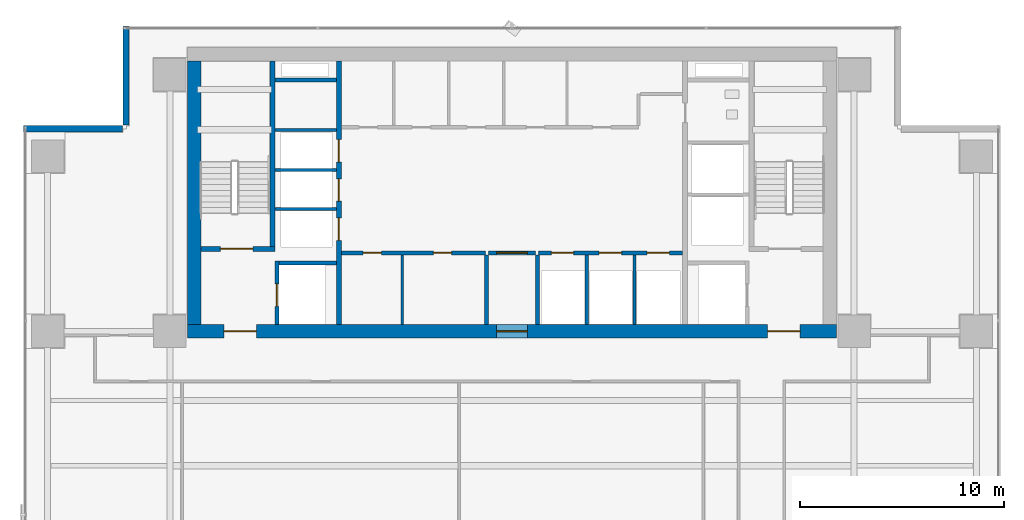
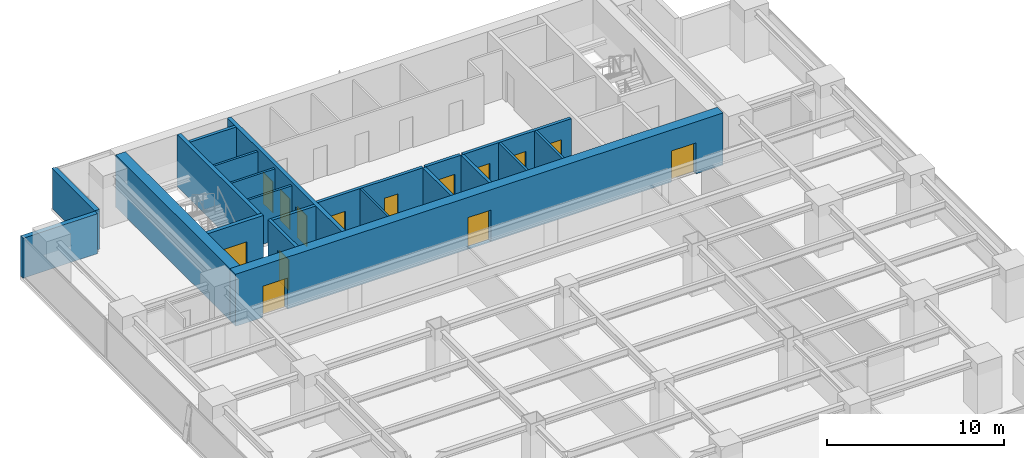
# One storey, part 21 of 27: 21 walls, 14 doors, 14 openings.
"""IFC4 building model written with IfcOpenShell, lengths in metres."""

import ifcopenshell
import ifcopenshell.guid

model = None  # the IFC model being written
_history = None  # IfcOwnerHistory: only IFC2X3 demands one
_inside = {}  # id of a spatial element -> (the spatial element, [elements in it])
_under = {}  # id of a project, library or spatial element -> (it, [spatial elements below it])
_declared = {}  # id of a project -> (the project, [libraries it declares])
_typed = {}  # id of a type object -> (the type object, [elements of that type])
_made_of = {}  # id of a material, layer set ... -> (it, [elements and type objects made of it])


def new_model(schema):
    """Start an empty IFC model of exactly this schema.

    Asked for "IFC4X3", IfcOpenShell would pick the latest addendum, in which some entities
    have other attributes; the version numbers below select the first issue.
    IFC2X3 requires an IfcOwnerHistory on every rooted entity: one is made here for all.
    """
    global model, _history
    if schema == "IFC4X3":
        model = ifcopenshell.file(schema_version=(4, 3, 0, 0))
    else:
        model = ifcopenshell.file(schema=schema)
    _inside.clear()
    _under.clear()
    _declared.clear()
    _typed.clear()
    _made_of.clear()
    _history = None
    if model.schema == "IFC2X3":
        org = make("IfcOrganization", Name="unknown")
        user = make(
            "IfcPersonAndOrganization",
            ThePerson=make("IfcPerson", FamilyName="unknown"),
            TheOrganization=org,
        )
        app = make(
            "IfcApplication",
            ApplicationDeveloper=org,
            Version="unknown",
            ApplicationFullName="unknown",
            ApplicationIdentifier="unknown",
        )
        _history = make(
            "IfcOwnerHistory",
            OwningUser=user,
            OwningApplication=app,
            ChangeAction="ADDED",
            CreationDate=0,
        )
    return model


def make(cls, **values):
    """One entity of the class cls with the attributes given. An attribute that is None is left unset."""
    return model.create_entity(
        cls, **{name: value for name, value in values.items() if value is not None}
    )


def rooted(cls, **values):
    """An entity with a GlobalId (a new one), such as an element, a storey or a relation."""
    return make(cls, GlobalId=ifcopenshell.guid.new(), OwnerHistory=_history, **values)


def si_unit(unit_type, name, prefix=None):
    """IfcSIUnit, for example si_unit("LENGTHUNIT", "METRE", prefix="MILLI")."""
    return make("IfcSIUnit", UnitType=unit_type, Prefix=prefix, Name=name)


def assignment(units):
    """IfcUnitAssignment: the units of a project."""
    return None if units is None else make("IfcUnitAssignment", Units=units)


def point(xyz):
    """IfcCartesianPoint."""
    return None if xyz is None else make("IfcCartesianPoint", Coordinates=xyz)


def direction(xyz):
    """IfcDirection."""
    return None if xyz is None else make("IfcDirection", DirectionRatios=xyz)


def frame(location, z_axis=None, x_axis=None):
    """IfcAxis2Placement3D, a coordinate frame: its origin and axes. An axis left out is left unset."""
    return make(
        "IfcAxis2Placement3D",
        Location=point(location),
        Axis=direction(z_axis),
        RefDirection=direction(x_axis),
    )


def frame_2d(location, x_axis=None):
    """IfcAxis2Placement2D, a coordinate frame in the plane: its origin and x axis."""
    return make(
        "IfcAxis2Placement2D", Location=point(location), RefDirection=direction(x_axis)
    )


def origin():
    """The frame at (0, 0, 0) with its axes left unset."""
    return frame((0.0, 0.0, 0.0))


def place(relative_to, where):
    """IfcLocalPlacement: puts the frame where relative to a parent placement (None: the world)."""
    return make(
        "IfcLocalPlacement", PlacementRelTo=relative_to, RelativePlacement=where
    )


def context(
    kind, dimensions, precision=None, world=None, true_north=None, identifier=None
):
    """IfcGeometricRepresentationContext, for example the 3D "Model" context."""
    return make(
        "IfcGeometricRepresentationContext",
        ContextIdentifier=identifier,
        ContextType=kind,
        CoordinateSpaceDimension=dimensions,
        Precision=precision,
        WorldCoordinateSystem=world,
        TrueNorth=true_north,
    )


def subcontext(parent, identifier, kind, view, scale=None):
    """IfcGeometricRepresentationSubContext, for example "Body" below "Model"."""
    return make(
        "IfcGeometricRepresentationSubContext",
        ContextIdentifier=identifier,
        ContextType=kind,
        ParentContext=parent,
        TargetScale=scale,
        TargetView=view,
    )


def project(units=None, contexts=None):
    """IfcProject with its units and contexts."""
    return rooted(
        "IfcProject",
        Name="project",
        RepresentationContexts=contexts,
        UnitsInContext=assignment(units),
    )


def spatial(cls, under=None, at=None, **own):
    """A site, building, storey or space (cls), placed at a placement, below another one or the project."""
    s = rooted(cls, ObjectPlacement=at, **own)
    if under is not None:
        _under.setdefault(under.id(), (under, []))[1].append(s)
    return s


def profile(cls, at=None, kind="AREA", **sizes):
    """A parametric profile (cls). Its sizes go by their IFC names, for example OverallWidth=200.0."""
    return make(cls, ProfileType=kind, Position=at, **sizes)


def rectangle(**sizes):
    """IfcRectangleProfileDef."""
    return profile("IfcRectangleProfileDef", **sizes)


def extrude(swept, where, along, depth):
    """IfcExtrudedAreaSolid: the profile swept, set in the frame where, extruded along a direction by depth."""
    return make(
        "IfcExtrudedAreaSolid",
        SweptArea=swept,
        Position=where,
        ExtrudedDirection=direction(along),
        Depth=depth,
    )


def shape(context_of_items, identifier, shape_type, items):
    """IfcShapeRepresentation: the items that make up one representation, for example the "Body"."""
    return make(
        "IfcShapeRepresentation",
        ContextOfItems=context_of_items,
        RepresentationIdentifier=identifier,
        RepresentationType=shape_type,
        Items=items,
    )


def source(mapping_origin, context_of_items, identifier, shape_type, items):
    """IfcRepresentationMap: a shape defined once, which mapped items show again and again."""
    return make(
        "IfcRepresentationMap",
        MappingOrigin=mapping_origin,
        MappedRepresentation=shape(context_of_items, identifier, shape_type, items),
    )


def transform(
    local_origin,
    x_axis=None,
    y_axis=None,
    z_axis=None,
    scale=None,
    scale2=None,
    scale3=None,
    uniform=True,
):
    """IfcCartesianTransformationOperator3D, or its non-uniform kind. x_axis, y_axis, z_axis: its Axis1, 2, 3."""
    if uniform:
        return make(
            "IfcCartesianTransformationOperator3D",
            Axis1=direction(x_axis),
            Axis2=direction(y_axis),
            LocalOrigin=point(local_origin),
            Scale=scale,
            Axis3=direction(z_axis),
        )
    return make(
        "IfcCartesianTransformationOperator3DnonUniform",
        Axis1=direction(x_axis),
        Axis2=direction(y_axis),
        LocalOrigin=point(local_origin),
        Scale=scale,
        Axis3=direction(z_axis),
        Scale2=scale2,
        Scale3=scale3,
    )


def mapped(mapping_source, mapping_target):
    """IfcMappedItem: shows the shape of a source again, moved by a transform."""
    return make(
        "IfcMappedItem", MappingSource=mapping_source, MappingTarget=mapping_target
    )


def material(Name=None, Category=None):
    """IfcMaterial."""
    return make("IfcMaterial", Name=Name, Category=Category)


def layer(
    of_material, thickness, ventilated=None, Name=None, Category=None, Priority=None
):
    """IfcMaterialLayer: one layer of a wall or slab, of a material (None: an air gap)."""
    return make(
        "IfcMaterialLayer",
        Material=of_material,
        LayerThickness=thickness,
        IsVentilated=ventilated,
        Name=Name,
        Category=Category,
        Priority=Priority,
    )


def layer_set(layers, Name=None):
    """IfcMaterialLayerSet."""
    return make("IfcMaterialLayerSet", MaterialLayers=layers, LayerSetName=Name)


def made_of(thing, what):
    """Note that an element or type object is made of a material, layer set ...; save() writes the relation."""
    if what is not None:
        _made_of.setdefault(what.id(), (what, []))[1].append(thing)
    return thing


def type_object(cls, material=None, **own):
    """A type object (cls), such as IfcWallType, which elements share."""
    return made_of(rooted(cls, **own), material)


def element(
    cls,
    number,
    at=None,
    inside=None,
    cuts=None,
    type_object=None,
    material=None,
    context=None,
    identifier="Body",
    shape_type=None,
    held_by="IfcProductDefinitionShape",
    body=None,
    shapes=None,
    **own,
):
    """One element of the class cls, such as IfcWall. Its Tag is "e" and its number.

    at: its placement. inside: the storey or other place that contains it. cuts: it is an
    opening in that element (IfcRelVoidsElement). A single representation is given by context,
    identifier, shape_type and body (its items); several are given by shapes. held_by: the class
    of the entity that holds the representations. save() writes the other relations.
    """
    e = rooted(cls, Tag="e%d" % number, ObjectPlacement=at, **own)
    if body is not None:
        shapes = [shape(context, identifier, shape_type, body)]
    if shapes is not None:
        e.Representation = make(held_by, Representations=shapes)
    if inside is not None:
        _inside.setdefault(inside.id(), (inside, []))[1].append(e)
    if cuts is not None:
        rooted(
            "IfcRelVoidsElement", RelatingBuildingElement=cuts, RelatedOpeningElement=e
        )
    if type_object is not None:
        _typed.setdefault(type_object.id(), (type_object, []))[1].append(e)
    return made_of(e, material)


def fill(opening, filler):
    """IfcRelFillsElement: the door or window that sits in an opening."""
    return rooted(
        "IfcRelFillsElement",
        RelatingOpeningElement=opening,
        RelatedBuildingElement=filler,
    )


def aggregate(whole, parts):
    """IfcRelAggregates: a whole, such as a stair, and the parts it consists of."""
    return rooted("IfcRelAggregates", RelatingObject=whole, RelatedObjects=parts)


def save(model, path):
    """Write the relations noted so far, then the file.

    IfcRelAggregates (storeys below a building ...), IfcRelContainedInSpatialStructure (elements
    in a storey), IfcRelDefinesByType, IfcRelAssociatesMaterial and IfcRelDeclares: one each for
    every whole, place, type object, material and project.
    """
    for whole, parts in _under.values():
        aggregate(whole, parts)
    for where, things in _inside.values():
        rooted(
            "IfcRelContainedInSpatialStructure",
            RelatedElements=things,
            RelatingStructure=where,
        )
    for kind, things in _typed.values():
        rooted("IfcRelDefinesByType", RelatedObjects=things, RelatingType=kind)
    for what, things in _made_of.values():
        rooted("IfcRelAssociatesMaterial", RelatedObjects=things, RelatingMaterial=what)
    for by, libraries in _declared.values():
        rooted("IfcRelDeclares", RelatingContext=by, RelatedDefinitions=libraries)
    model.write(path)


model = new_model("IFC4")

# Units and contexts
model_context = context("Model", 3, precision=1e-05, world=origin(), true_north=direction((0.0, 1.0)))
body_context = subcontext(model_context, "Body", "Model", "MODEL_VIEW")
ifc_project = project(units=[si_unit("LENGTHUNIT", "METRE"), si_unit("AREAUNIT", "SQUARE_METRE"), si_unit("VOLUMEUNIT", "CUBIC_METRE"), si_unit("PLANEANGLEUNIT", "RADIAN"), si_unit("MASSUNIT", "GRAM", prefix="KILO")], contexts=[model_context])

# Site, building, storey
site_placement = place(None, origin())
site = spatial("IfcSite", under=ifc_project, at=site_placement, CompositionType="ELEMENT")
building_placement = place(site_placement, origin())
building = spatial("IfcBuilding", under=site, at=building_placement, Name="Sumidabori Civic Tower", CompositionType="ELEMENT")
storey_placement = place(building_placement, frame((0.0, 0.0, 135.199951171875)))
storey = spatial("IfcBuildingStorey", under=building, at=storey_placement, Name="L34", CompositionType="ELEMENT", Elevation=135.199951171875)

# Walls
ifc_material_1 = material(Name="Concrete C50/60", Category="concrete")
ifc_layer_1 = layer(ifc_material_1, 0.199951171875, Name="Concrete C50/60")
ifc_layer_set_1 = layer_set([ifc_layer_1], Name="Concrete C50/60")
wall_type_1 = type_object("IfcWallType", Name="WL-SHAFT-200", PredefinedType="SHEAR", material=ifc_layer_set_1)
shared_shape_1 = source(origin(), body_context, "Body", "SweptSolid", [
    extrude(rectangle(XDim=2.824951171875, YDim=0.199951171875, at=frame_2d((1.41259765625, 0.0))), origin(), (0.0, 0.0, 1.0), 3.60009765625),
])
wall_1_placement = place(storey_placement, frame((-11.449951171875, 13.550048828125, 0.0), z_axis=(0.0, 0.0, 1.0), x_axis=(1.0, 0.0, 0.0)))
element("IfcWall", 1, at=wall_1_placement, inside=storey, type_object=wall_type_1, Name="Core Shear Wall L34 EL1-N", PredefinedType="SHEAR", context=body_context, shape_type="MappedRepresentation", body=[
    mapped(shared_shape_1, transform((0.0, 0.0, 0.0), x_axis=(1.0, 0.0, 0.0), y_axis=(0.0, 1.0, 0.0), z_axis=(0.0, 0.0, 1.0), scale=1.0)),
])
shared_shape_2 = source(origin(), body_context, "Body", "SweptSolid", [
    extrude(rectangle(XDim=3.02001953125, YDim=0.199951171875, at=frame_2d((1.510009765625, 0.0))), origin(), (0.0, 0.0, 1.0), 3.60009765625),
])
wall_2_placement = place(storey_placement, frame((-11.64501953125, 22.550048828125, 0.0), z_axis=(0.0, 0.0, 1.0), x_axis=(1.0, 0.0, 0.0)))
element("IfcWall", 2, at=wall_2_placement, inside=storey, type_object=wall_type_1, Name="Core Shear Wall L34 RIS1-S", PredefinedType="SHEAR", context=body_context, shape_type="MappedRepresentation", body=[
    mapped(shared_shape_2, transform((0.0, 0.0, 0.0), x_axis=(1.0, 0.0, 0.0), y_axis=(0.0, 1.0, 0.0), z_axis=(0.0, 0.0, 1.0), scale=1.0)),
])

# Wall, openings, doors
ifc_material_2 = material(Name="Concrete C60/75", Category="concrete")
ifc_layer_2 = layer(ifc_material_2, 0.64990234375, Name="Concrete C60/75")
ifc_layer_set_2 = layer_set([ifc_layer_2], Name="Concrete C60/75")
wall_type_2 = type_object("IfcWallType", Name="WL-CORE-650", PredefinedType="SHEAR", material=ifc_layer_set_2)
shared_shape_3 = source(origin(), body_context, "Body", "SweptSolid", [
    extrude(rectangle(XDim=31.85009765625, YDim=0.64990234375, at=frame_2d((15.925048828125, 0.0))), origin(), (0.0, 0.0, 1.0), 3.60009765625),
])
wall_3_placement = place(storey_placement, frame((-15.925048828125, 10.199951171875, 0.0), z_axis=(0.0, 0.0, 1.0), x_axis=(1.0, 0.0, 0.0)))
wall_3 = element("IfcWall", 3, at=wall_3_placement, inside=storey, type_object=wall_type_2, Name="Core Shear Wall L34 S", PredefinedType="SHEAR", context=body_context, shape_type="MappedRepresentation", body=[
    mapped(shared_shape_3, transform((0.0, 0.0, 0.0), x_axis=(1.0, 0.0, 0.0), y_axis=(0.0, 1.0, 0.0), z_axis=(0.0, 0.0, 1.0), scale=1.0)),
])
opening_1_placement = place(wall_3_placement, frame((1.77490234375, 0.0, 0.0)))
opening_1 = element("IfcOpeningElement", 4, at=opening_1_placement, cuts=wall_3, Name="Opening DR-FD4", PredefinedType="OPENING", context=body_context, shape_type="SweptSolid", body=[
    extrude(rectangle(XDim=1.60009765625, YDim=2.14990234375, at=frame_2d((0.800048828125, 1.074951171875))), frame((0.0, 0.3369140625, 0.0), z_axis=(0.0, -1.0, 0.0), x_axis=(1.0, 0.0, 0.0)), (0.0, 0.0, 1.0), 0.673828125),
])
opening_2_placement = place(wall_3_placement, frame((28.47509765625, 0.0, 0.0)))
opening_2 = element("IfcOpeningElement", 5, at=opening_2_placement, cuts=wall_3, Name="Opening DR-FD4", PredefinedType="OPENING", context=body_context, shape_type="SweptSolid", body=[
    extrude(rectangle(XDim=1.60009765625, YDim=2.14990234375, at=frame_2d((0.800048828125, 1.074951171875))), frame((0.0, 0.3369140625, 0.0), z_axis=(0.0, -1.0, 0.0), x_axis=(1.0, 0.0, 0.0)), (0.0, 0.0, 1.0), 0.673828125),
])
opening_3_placement = place(wall_3_placement, frame((15.175048828125, 0.0, 0.0)))
opening_3 = element("IfcOpeningElement", 6, at=opening_3_placement, cuts=wall_3, Name="Opening DR-FD3", PredefinedType="OPENING", context=body_context, shape_type="SweptSolid", body=[
    extrude(rectangle(XDim=1.5, YDim=2.199951171875, at=frame_2d((0.75, 1.10009765625))), frame((0.0, 0.3369140625, 0.0), z_axis=(0.0, -1.0, 0.0), x_axis=(1.0, 0.0, 0.0)), (0.0, 0.0, 1.0), 0.673828125),
])
ifc_material_3 = material(Name="Steel SN490", Category="steel")
door_type_1 = type_object("IfcDoorType", Name="DR-FD4", OperationType="DOUBLE_DOOR_SINGLE_SWING", PredefinedType="DOOR", material=ifc_material_3)
shared_shape_4 = source(origin(), body_context, "Body", "SweptSolid", [
    extrude(rectangle(XDim=1.60009765625, YDim=2.14990234375, at=frame_2d((0.800048828125, 1.074951171875))), frame((0.0, 0.02490234375, 0.0), z_axis=(0.0, -1.0, 0.0), x_axis=(1.0, 0.0, 0.0)), (0.0, 0.0, 1.0), 0.050048828125),
])
door_1_placement = place(opening_1_placement, origin())
door_1 = element("IfcDoor", 7, at=door_1_placement, inside=storey, type_object=door_type_1, Name="Door DR:L34:ELOB-W", OperationType="DOUBLE_DOOR_SINGLE_SWING", OverallHeight=2.14990234375, OverallWidth=1.60009765625, PredefinedType="DOOR", context=body_context, shape_type="MappedRepresentation", body=[
    mapped(shared_shape_4, transform((0.0, 0.0, 0.0), x_axis=(1.0, 0.0, 0.0), y_axis=(0.0, 1.0, 0.0), z_axis=(0.0, 0.0, 1.0), scale=1.0)),
])
fill(opening_1, door_1)
door_2_placement = place(opening_2_placement, origin())
door_2 = element("IfcDoor", 8, at=door_2_placement, inside=storey, type_object=door_type_1, Name="Door DR:L34:ELOB-E", OperationType="DOUBLE_DOOR_SINGLE_SWING", OverallHeight=2.14990234375, OverallWidth=1.60009765625, PredefinedType="DOOR", context=body_context, shape_type="MappedRepresentation", body=[
    mapped(shared_shape_4, transform((0.0, 0.0, 0.0), x_axis=(1.0, 0.0, 0.0), y_axis=(0.0, 1.0, 0.0), z_axis=(0.0, 0.0, 1.0), scale=1.0)),
])
fill(opening_2, door_2)
door_type_2 = type_object("IfcDoorType", Name="DR-FD-DBL", OperationType="DOUBLE_DOOR_SINGLE_SWING", PredefinedType="DOOR", material=ifc_material_3)
shared_shape_5 = source(origin(), body_context, "Body", "SweptSolid", [
    extrude(rectangle(XDim=1.5, YDim=2.199951171875, at=frame_2d((0.75, 1.10009765625))), frame((0.0, 0.02490234375, 0.0), z_axis=(0.0, -1.0, 0.0), x_axis=(1.0, 0.0, 0.0)), (0.0, 0.0, 1.0), 0.050048828125),
])
door_3_placement = place(opening_3_placement, origin())
door_3 = element("IfcDoor", 9, at=door_3_placement, inside=storey, type_object=door_type_2, Name="Door DR:L34:THROAT-OUT", OperationType="DOUBLE_DOOR_SINGLE_SWING", OverallHeight=2.199951171875, OverallWidth=1.5, PredefinedType="DOOR", context=body_context, shape_type="MappedRepresentation", body=[
    mapped(shared_shape_5, transform((0.0, 0.0, 0.0), x_axis=(1.0, 0.0, 0.0), y_axis=(0.0, 1.0, 0.0), z_axis=(0.0, 0.0, 1.0), scale=1.0)),
])
fill(opening_3, door_3)

# Wall
shared_shape_6 = source(origin(), body_context, "Body", "SweptSolid", [
    extrude(rectangle(XDim=12.9501953125, YDim=0.64990234375, at=frame_2d((6.47509765625, 0.0))), origin(), (0.0, 0.0, 1.0), 3.60009765625),
])
wall_4_placement = place(storey_placement, frame((-15.60009765625, 10.52490234375, 0.0), z_axis=(0.0, 0.0, 1.0), x_axis=(0.0, 1.0, 0.0)))
element("IfcWall", 10, at=wall_4_placement, inside=storey, type_object=wall_type_2, Name="Core Shear Wall L34 W", PredefinedType="SHEAR", context=body_context, shape_type="MappedRepresentation", body=[
    mapped(shared_shape_6, transform((0.0, 0.0, 0.0), x_axis=(1.0, 0.0, 0.0), y_axis=(0.0, 1.0, 0.0), z_axis=(0.0, 0.0, 1.0), scale=1.0)),
])

# Wall, openings, doors
ifc_layer_3 = layer(ifc_material_1, 0.25, Name="Concrete C50/60")
ifc_layer_set_3 = layer_set([ifc_layer_3], Name="Concrete C50/60")
wall_type_3 = type_object("IfcWallType", Name="WL-SHAFT-250", PredefinedType="SHEAR", material=ifc_layer_set_3)
shared_shape_7 = source(origin(), body_context, "Body", "SweptSolid", [
    extrude(rectangle(XDim=12.9501953125, YDim=0.25, at=frame_2d((6.47509765625, 0.0))), origin(), (0.0, 0.0, 1.0), 3.60009765625),
])
wall_5_placement = place(storey_placement, frame((-8.5, 10.52490234375, 0.0), z_axis=(0.0, 0.0, 1.0), x_axis=(0.0, 1.0, 0.0)))
wall_5 = element("IfcWall", 11, at=wall_5_placement, inside=storey, type_object=wall_type_3, Name="Core Shear Wall L34 WEB-W", PredefinedType="SHEAR", context=body_context, shape_type="MappedRepresentation", body=[
    mapped(shared_shape_7, transform((0.0, 0.0, 0.0), x_axis=(1.0, 0.0, 0.0), y_axis=(0.0, 1.0, 0.0), z_axis=(0.0, 0.0, 1.0), scale=1.0)),
])
opening_4_placement = place(wall_5_placement, frame((4.14501953125, 0.0, 0.0)))
opening_4 = element("IfcOpeningElement", 12, at=opening_4_placement, cuts=wall_5, Name="Opening LD-1", PredefinedType="OPENING", context=body_context, shape_type="SweptSolid", body=[
    extrude(rectangle(XDim=1.10009765625, YDim=2.14990234375, at=frame_2d((0.550048828125, 1.074951171875))), frame((0.0, 0.136962890625, 0.0), z_axis=(0.0, -1.0, 0.0), x_axis=(1.0, 0.0, 0.0)), (0.0, 0.0, 1.0), 0.27392578125),
])
opening_5_placement = place(wall_5_placement, frame((6.06494140625, 0.0, 0.0)))
opening_5 = element("IfcOpeningElement", 13, at=opening_5_placement, cuts=wall_5, Name="Opening LD-1", PredefinedType="OPENING", context=body_context, shape_type="SweptSolid", body=[
    extrude(rectangle(XDim=1.10009765625, YDim=2.14990234375, at=frame_2d((0.550048828125, 1.074951171875))), frame((0.0, 0.136962890625, 0.0), z_axis=(0.0, -1.0, 0.0), x_axis=(1.0, 0.0, 0.0)), (0.0, 0.0, 1.0), 0.27392578125),
])
opening_6_placement = place(wall_5_placement, frame((7.985107421875, 0.0, 0.0)))
opening_6 = element("IfcOpeningElement", 14, at=opening_6_placement, cuts=wall_5, Name="Opening LD-1", PredefinedType="OPENING", context=body_context, shape_type="SweptSolid", body=[
    extrude(rectangle(XDim=1.10009765625, YDim=2.14990234375, at=frame_2d((0.550048828125, 1.074951171875))), frame((0.0, 0.136962890625, 0.0), z_axis=(0.0, -1.0, 0.0), x_axis=(1.0, 0.0, 0.0)), (0.0, 0.0, 1.0), 0.27392578125),
])
ifc_material_4 = material(Name="Stainless Steel Hairline Finish", Category="steel")
door_type_3 = type_object("IfcDoorType", Name="DR-LD1", OperationType="DOUBLE_DOOR_SLIDING", PredefinedType="DOOR", material=ifc_material_4)
shared_shape_8 = source(origin(), body_context, "Body", "SweptSolid", [
    extrude(rectangle(XDim=1.10009765625, YDim=2.14990234375, at=frame_2d((0.550048828125, 1.074951171875))), frame((0.0, 0.02490234375, 0.0), z_axis=(0.0, -1.0, 0.0), x_axis=(1.0, 0.0, 0.0)), (0.0, 0.0, 1.0), 0.050048828125),
])
door_4_placement = place(opening_4_placement, origin())
door_4 = element("IfcDoor", 15, at=door_4_placement, inside=storey, type_object=door_type_3, Name="Door DR:L34:LD-PLH1", OperationType="DOUBLE_DOOR_SLIDING", OverallHeight=2.14990234375, OverallWidth=1.10009765625, PredefinedType="DOOR", context=body_context, shape_type="MappedRepresentation", body=[
    mapped(shared_shape_8, transform((0.0, 0.0, 0.0), x_axis=(1.0, 0.0, 0.0), y_axis=(0.0, 1.0, 0.0), z_axis=(0.0, 0.0, 1.0), scale=1.0)),
])
fill(opening_4, door_4)
door_5_placement = place(opening_5_placement, origin())
door_5 = element("IfcDoor", 16, at=door_5_placement, inside=storey, type_object=door_type_3, Name="Door DR:L34:LD-PLH2", OperationType="DOUBLE_DOOR_SLIDING", OverallHeight=2.14990234375, OverallWidth=1.10009765625, PredefinedType="DOOR", context=body_context, shape_type="MappedRepresentation", body=[
    mapped(shared_shape_8, transform((0.0, 0.0, 0.0), x_axis=(1.0, 0.0, 0.0), y_axis=(0.0, 1.0, 0.0), z_axis=(0.0, 0.0, 1.0), scale=1.0)),
])
fill(opening_5, door_5)
door_6_placement = place(opening_6_placement, origin())
door_6 = element("IfcDoor", 17, at=door_6_placement, inside=storey, type_object=door_type_3, Name="Door DR:L34:LD-PLH3", OperationType="DOUBLE_DOOR_SLIDING", OverallHeight=2.14990234375, OverallWidth=1.10009765625, PredefinedType="DOOR", context=body_context, shape_type="MappedRepresentation", body=[
    mapped(shared_shape_8, transform((0.0, 0.0, 0.0), x_axis=(1.0, 0.0, 0.0), y_axis=(0.0, 1.0, 0.0), z_axis=(0.0, 0.0, 1.0), scale=1.0)),
])
fill(opening_6, door_6)

# Wall, opening, door
shared_shape_9 = source(origin(), body_context, "Body", "SweptSolid", [
    extrude(rectangle(XDim=3.6298828125, YDim=0.25, at=frame_2d((1.81494140625, 0.0))), origin(), (0.0, 0.0, 1.0), 3.60009765625),
])
wall_6_placement = place(storey_placement, frame((-15.27490234375, 14.25, 0.0), z_axis=(0.0, 0.0, 1.0), x_axis=(1.0, 0.0, 0.0)))
wall_6 = element("IfcWall", 18, at=wall_6_placement, inside=storey, type_object=wall_type_3, Name="Core Shear Wall L34 ST1-S", PredefinedType="SHEAR", context=body_context, shape_type="MappedRepresentation", body=[
    mapped(shared_shape_9, transform((0.0, 0.0, 0.0), x_axis=(1.0, 0.0, 0.0), y_axis=(0.0, 1.0, 0.0), z_axis=(0.0, 0.0, 1.0), scale=1.0)),
])
opening_7_placement = place(wall_6_placement, frame((0.949951171875, 0.0, 0.0)))
opening_7 = element("IfcOpeningElement", 19, at=opening_7_placement, cuts=wall_6, Name="Opening DR-FD4", PredefinedType="OPENING", context=body_context, shape_type="SweptSolid", body=[
    extrude(rectangle(XDim=1.60009765625, YDim=2.14990234375, at=frame_2d((0.800048828125, 1.074951171875))), frame((0.0, 0.136962890625, 0.0), z_axis=(0.0, -1.0, 0.0), x_axis=(1.0, 0.0, 0.0)), (0.0, 0.0, 1.0), 0.27392578125),
])
door_7_placement = place(opening_7_placement, origin())
door_7 = element("IfcDoor", 20, at=door_7_placement, inside=storey, type_object=door_type_1, Name="Door DR:L34:ST1", OperationType="DOUBLE_DOOR_SINGLE_SWING", OverallHeight=2.14990234375, OverallWidth=1.60009765625, PredefinedType="DOOR", context=body_context, shape_type="MappedRepresentation", body=[
    mapped(shared_shape_4, transform((0.0, 0.0, 0.0), x_axis=(1.0, 0.0, 0.0), y_axis=(0.0, 1.0, 0.0), z_axis=(0.0, 0.0, 1.0), scale=1.0)),
])
fill(opening_7, door_7)

# Wall
shared_shape_10 = source(origin(), body_context, "Body", "SweptSolid", [
    extrude(rectangle(XDim=9.10009765625, YDim=0.25, at=frame_2d((4.550048828125, 0.0))), origin(), (0.0, 0.0, 1.0), 3.60009765625),
])
wall_7_placement = place(storey_placement, frame((-11.77001953125, 14.375, 0.0), z_axis=(0.0, 0.0, 1.0), x_axis=(0.0, 1.0, 0.0)))
element("IfcWall", 21, at=wall_7_placement, inside=storey, type_object=wall_type_3, Name="Core Shear Wall L34 ST1-E", PredefinedType="SHEAR", context=body_context, shape_type="MappedRepresentation", body=[
    mapped(shared_shape_10, transform((0.0, 0.0, 0.0), x_axis=(1.0, 0.0, 0.0), y_axis=(0.0, 1.0, 0.0), z_axis=(0.0, 0.0, 1.0), scale=1.0)),
])

# Wall, opening, door
shared_shape_11 = source(origin(), body_context, "Body", "SweptSolid", [
    extrude(rectangle(XDim=3.125, YDim=0.199951171875, at=frame_2d((1.5625, 0.0))), origin(), (0.0, 0.0, 1.0), 3.60009765625),
])
wall_8_placement = place(storey_placement, frame((-11.550048828125, 10.52490234375, 0.0), z_axis=(0.0, 0.0, 1.0), x_axis=(0.0, 1.0, 0.0)))
wall_8 = element("IfcWall", 22, at=wall_8_placement, inside=storey, type_object=wall_type_1, Name="Core Shear Wall L34 EL1-W", PredefinedType="SHEAR", context=body_context, shape_type="MappedRepresentation", body=[
    mapped(shared_shape_11, transform((0.0, 0.0, 0.0), x_axis=(1.0, 0.0, 0.0), y_axis=(0.0, 1.0, 0.0), z_axis=(0.0, 0.0, 1.0), scale=1.0)),
])
opening_8_placement = place(wall_8_placement, frame((0.89990234375, 0.0, 0.0)))
opening_8 = element("IfcOpeningElement", 23, at=opening_8_placement, cuts=wall_8, Name="Opening LD-2", PredefinedType="OPENING", context=body_context, shape_type="SweptSolid", body=[
    extrude(rectangle(XDim=1.10009765625, YDim=2.14990234375, at=frame_2d((0.550048828125, 1.074951171875))), frame((0.0, 0.11181640625, 0.0), z_axis=(0.0, -1.0, 0.0), x_axis=(1.0, 0.0, 0.0)), (0.0, 0.0, 1.0), 0.223876953125),
])
door_type_4 = type_object("IfcDoorType", Name="DR-LD2", OperationType="DOUBLE_DOOR_SLIDING", PredefinedType="DOOR", material=ifc_material_4)
door_8_placement = place(opening_8_placement, origin())
door_8 = element("IfcDoor", 24, at=door_8_placement, inside=storey, type_object=door_type_4, Name="Door DR:L34:LD-EL1", OperationType="DOUBLE_DOOR_SLIDING", OverallHeight=2.14990234375, OverallWidth=1.10009765625, PredefinedType="DOOR", context=body_context, shape_type="MappedRepresentation", body=[
    mapped(shared_shape_8, transform((0.0, 0.0, 0.0), x_axis=(1.0, 0.0, 0.0), y_axis=(0.0, 1.0, 0.0), z_axis=(0.0, 0.0, 1.0), scale=1.0)),
])
fill(opening_8, door_8)

# Walls
ifc_material_5 = material(Name="Precast concrete C40/50", Category="concrete")
ifc_layer_4 = layer(ifc_material_5, 0.300048828125, Name="Precast concrete C40/50")
ifc_layer_set_4 = layer_set([ifc_layer_4], Name="Precast concrete C40/50")
wall_type_4 = type_object("IfcWallType", Name="WL-EXT-POD300", PredefinedType="STANDARD", material=ifc_layer_set_4)
shared_shape_12 = source(origin(), body_context, "Body", "SweptSolid", [
    extrude(rectangle(XDim=4.85986328125, YDim=0.300048828125, at=frame_2d((2.429931640625, 0.0))), origin(), (0.0, 0.0, 1.0), 2.760009765625),
])
for number, where, z_axis, x_axis, name in (
    (25, (-18.949951171875, 25.179931640625, 0.0), (0.0, 0.0, 1.0), (0.0, -1.0, 0.0), "Notched Corner Spandrel Band L34-08"),
    (26, (-19.1201171875, 20.14990234375, 0.0), (0.0, 0.0, 1.0), (-1.0, 0.0, 0.0), "Notched Corner Spandrel Band L34-09"),
):
    element("IfcWall", number, at=place(storey_placement, frame(where, z_axis=z_axis, x_axis=x_axis)), inside=storey, type_object=wall_type_4, Name=name, PredefinedType="STANDARD", context=body_context, shape_type="MappedRepresentation", body=[
        mapped(shared_shape_12, transform((0.0, 0.0, 0.0), x_axis=(1.0, 0.0, 0.0), y_axis=(0.0, 1.0, 0.0), z_axis=(0.0, 0.0, 1.0), scale=1.0)),
    ])
ifc_material_6 = material(Name="Gypsum Plasterboard Acoustic Partition")
ifc_layer_5 = layer(ifc_material_6, 0.14990234375, Name="Gypsum Plasterboard Acoustic Partition")
ifc_layer_set_5 = layer_set([ifc_layer_5], Name="Gypsum Plasterboard Acoustic Partition")
wall_type_5 = type_object("IfcWallType", Name="WL-PART-150", PredefinedType="PARTITIONING", material=ifc_layer_set_5)
shared_shape_13 = source(origin(), body_context, "Body", "SweptSolid", [
    extrude(rectangle(XDim=3.010009765625, YDim=0.14990234375, at=frame_2d((1.5048828125, 0.0))), origin(), (0.0, 0.0, 1.0), 3.380126953125),
])
for number, where, z_axis, x_axis, name in (
    (27, (-11.639892578125, 16.199951171875, 0.0), (0.0, 0.0, 1.0), (1.0, 0.0, 0.0), "Interior Partition WL:L34:DIV-PLH1"),
    (28, (-11.639892578125, 18.1201171875, 0.0), (0.0, 0.0, 1.0), (1.0, 0.0, 0.0), "Interior Partition WL:L34:DIV-PLH2"),
    (29, (-11.639892578125, 20.080078125, 0.0), (0.0, 0.0, 1.0), (1.0, 0.0, 0.0), "Interior Partition WL:L34:DIV-PLH3"),
):
    element("IfcWall", number, at=place(storey_placement, frame(where, z_axis=z_axis, x_axis=x_axis)), inside=storey, type_object=wall_type_5, Name=name, PredefinedType="PARTITIONING", context=body_context, shape_type="MappedRepresentation", body=[
        mapped(shared_shape_13, transform((0.0, 0.0, 0.0), x_axis=(1.0, 0.0, 0.0), y_axis=(0.0, 1.0, 0.0), z_axis=(0.0, 0.0, 1.0), scale=1.0)),
    ])

# Wall, openings, doors
ifc_material_7 = material(Name="Gypsum Plasterboard Fire Partition")
ifc_layer_6 = layer(ifc_material_7, 0.199951171875, Name="Gypsum Plasterboard Fire Partition")
ifc_layer_set_6 = layer_set([ifc_layer_6], Name="Gypsum Plasterboard Fire Partition")
wall_type_6 = type_object("IfcWallType", Name="WL-PART-FIRE", PredefinedType="PARTITIONING", material=ifc_layer_set_6)
shared_shape_14 = source(origin(), body_context, "Body", "SweptSolid", [
    extrude(rectangle(XDim=7.070068359375, YDim=0.199951171875, at=frame_2d((3.53515625, 0.0))), origin(), (0.0, 0.0, 1.0), 3.380126953125),
])
wall_9_placement = place(storey_placement, frame((-8.3701171875, 14.050048828125, 0.0), z_axis=(0.0, 0.0, 1.0), x_axis=(1.0, 0.0, 0.0)))
wall_9 = element("IfcWall", 30, at=wall_9_placement, inside=storey, type_object=wall_type_6, Name="Interior Partition WL:L34:CBAND-SW", PredefinedType="PARTITIONING", context=body_context, shape_type="MappedRepresentation", body=[
    mapped(shared_shape_14, transform((0.0, 0.0, 0.0), x_axis=(1.0, 0.0, 0.0), y_axis=(0.0, 1.0, 0.0), z_axis=(0.0, 0.0, 1.0), scale=1.0)),
])
opening_9_placement = place(wall_9_placement, frame((1.06005859375, 0.0, 0.0)))
opening_9 = element("IfcOpeningElement", 31, at=opening_9_placement, cuts=wall_9, Name="Opening DR-1", PredefinedType="OPENING", context=body_context, shape_type="SweptSolid", body=[
    extrude(rectangle(XDim=0.89990234375, YDim=2.14990234375, at=frame_2d((0.449951171875, 1.074951171875))), frame((0.0, 0.11181640625, 0.0), z_axis=(0.0, -1.0, 0.0), x_axis=(1.0, 0.0, 0.0)), (0.0, 0.0, 1.0), 0.223876953125),
])
opening_10_placement = place(wall_9_placement, frame((4.510009765625, 0.0, 0.0)))
opening_10 = element("IfcOpeningElement", 32, at=opening_10_placement, cuts=wall_9, Name="Opening DR-1", PredefinedType="OPENING", context=body_context, shape_type="SweptSolid", body=[
    extrude(rectangle(XDim=0.89990234375, YDim=2.14990234375, at=frame_2d((0.449951171875, 1.074951171875))), frame((0.0, 0.11181640625, 0.0), z_axis=(0.0, -1.0, 0.0), x_axis=(1.0, 0.0, 0.0)), (0.0, 0.0, 1.0), 0.223876953125),
])
ifc_material_8 = material(Name="Japanese Hinoki Timber", Category="wood")
door_type_5 = type_object("IfcDoorType", Name="DR-INT-900", OperationType="NOTDEFINED", PredefinedType="DOOR", material=ifc_material_8)
shared_shape_15 = source(origin(), body_context, "Body", "SweptSolid", [
    extrude(rectangle(XDim=0.89990234375, YDim=2.14990234375, at=frame_2d((0.449951171875, 1.074951171875))), frame((0.0, 0.02490234375, 0.0), z_axis=(0.0, -1.0, 0.0), x_axis=(1.0, 0.0, 0.0)), (0.0, 0.0, 1.0), 0.050048828125),
])
door_9_placement = place(opening_9_placement, origin())
door_9 = element("IfcDoor", 33, at=door_9_placement, inside=storey, type_object=door_type_5, Name="Door DR:L34:REC-B1A", OperationType="SINGLE_SWING_LEFT", OverallHeight=2.14990234375, OverallWidth=0.89990234375, PredefinedType="DOOR", context=body_context, shape_type="MappedRepresentation", body=[
    mapped(shared_shape_15, transform((0.0, 0.0, 0.0), x_axis=(1.0, 0.0, 0.0), y_axis=(0.0, 1.0, 0.0), z_axis=(0.0, 0.0, 1.0), scale=1.0)),
])
fill(opening_9, door_9)
door_10_placement = place(opening_10_placement, origin())
door_10 = element("IfcDoor", 34, at=door_10_placement, inside=storey, type_object=door_type_5, Name="Door DR:L34:REC-B1B", OperationType="SINGLE_SWING_RIGHT", OverallHeight=2.14990234375, OverallWidth=0.89990234375, PredefinedType="DOOR", context=body_context, shape_type="MappedRepresentation", body=[
    mapped(shared_shape_15, transform((0.0, 0.0, 0.0), x_axis=(1.0, 0.0, 0.0), y_axis=(0.0, 1.0, 0.0), z_axis=(0.0, 0.0, 1.0), scale=1.0)),
])
fill(opening_10, door_10)

wall_10_placement = place(storey_placement, frame((1.300048828125, 14.050048828125, 0.0), z_axis=(0.0, 0.0, 1.0), x_axis=(1.0, 0.0, 0.0)))
wall_10 = element("IfcWall", 35, at=wall_10_placement, inside=storey, type_object=wall_type_6, Name="Interior Partition WL:L34:CBAND-SE", PredefinedType="PARTITIONING", context=body_context, shape_type="MappedRepresentation", body=[
    mapped(shared_shape_14, transform((0.0, 0.0, 0.0), x_axis=(1.0, 0.0, 0.0), y_axis=(0.0, 1.0, 0.0), z_axis=(0.0, 0.0, 1.0), scale=1.0)),
])
opening_11_placement = place(wall_10_placement, frame((0.6298828125, 0.0, 0.0)))
opening_11 = element("IfcOpeningElement", 36, at=opening_11_placement, cuts=wall_10, Name="Opening LD-1", PredefinedType="OPENING", context=body_context, shape_type="SweptSolid", body=[
    extrude(rectangle(XDim=1.10009765625, YDim=2.14990234375, at=frame_2d((0.550048828125, 1.074951171875))), frame((0.0, 0.11181640625, 0.0), z_axis=(0.0, -1.0, 0.0), x_axis=(1.0, 0.0, 0.0)), (0.0, 0.0, 1.0), 0.223876953125),
])
opening_12_placement = place(wall_10_placement, frame((2.97998046875, 0.0, 0.0)))
opening_12 = element("IfcOpeningElement", 37, at=opening_12_placement, cuts=wall_10, Name="Opening LD-1", PredefinedType="OPENING", context=body_context, shape_type="SweptSolid", body=[
    extrude(rectangle(XDim=1.10009765625, YDim=2.14990234375, at=frame_2d((0.550048828125, 1.074951171875))), frame((0.0, 0.11181640625, 0.0), z_axis=(0.0, -1.0, 0.0), x_axis=(1.0, 0.0, 0.0)), (0.0, 0.0, 1.0), 0.223876953125),
])
opening_13_placement = place(wall_10_placement, frame((5.330078125, 0.0, 0.0)))
opening_13 = element("IfcOpeningElement", 38, at=opening_13_placement, cuts=wall_10, Name="Opening LD-1", PredefinedType="OPENING", context=body_context, shape_type="SweptSolid", body=[
    extrude(rectangle(XDim=1.10009765625, YDim=2.14990234375, at=frame_2d((0.550048828125, 1.074951171875))), frame((0.0, 0.11181640625, 0.0), z_axis=(0.0, -1.0, 0.0), x_axis=(1.0, 0.0, 0.0)), (0.0, 0.0, 1.0), 0.223876953125),
])
door_11_placement = place(opening_11_placement, origin())
door_11 = element("IfcDoor", 39, at=door_11_placement, inside=storey, type_object=door_type_3, Name="Door DR:L34:LD-PLM1", OperationType="DOUBLE_DOOR_SLIDING", OverallHeight=2.14990234375, OverallWidth=1.10009765625, PredefinedType="DOOR", context=body_context, shape_type="MappedRepresentation", body=[
    mapped(shared_shape_8, transform((0.0, 0.0, 0.0), x_axis=(1.0, 0.0, 0.0), y_axis=(0.0, 1.0, 0.0), z_axis=(0.0, 0.0, 1.0), scale=1.0)),
])
fill(opening_11, door_11)
door_12_placement = place(opening_12_placement, origin())
door_12 = element("IfcDoor", 40, at=door_12_placement, inside=storey, type_object=door_type_3, Name="Door DR:L34:LD-PLM2", OperationType="DOUBLE_DOOR_SLIDING", OverallHeight=2.14990234375, OverallWidth=1.10009765625, PredefinedType="DOOR", context=body_context, shape_type="MappedRepresentation", body=[
    mapped(shared_shape_8, transform((0.0, 0.0, 0.0), x_axis=(1.0, 0.0, 0.0), y_axis=(0.0, 1.0, 0.0), z_axis=(0.0, 0.0, 1.0), scale=1.0)),
])
fill(opening_12, door_12)
door_13_placement = place(opening_13_placement, origin())
door_13 = element("IfcDoor", 41, at=door_13_placement, inside=storey, type_object=door_type_3, Name="Door DR:L34:LD-PLM3", OperationType="DOUBLE_DOOR_SLIDING", OverallHeight=2.14990234375, OverallWidth=1.10009765625, PredefinedType="DOOR", context=body_context, shape_type="MappedRepresentation", body=[
    mapped(shared_shape_8, transform((0.0, 0.0, 0.0), x_axis=(1.0, 0.0, 0.0), y_axis=(0.0, 1.0, 0.0), z_axis=(0.0, 0.0, 1.0), scale=1.0)),
])
fill(opening_13, door_13)

# Walls
shared_shape_16 = source(origin(), body_context, "Body", "SweptSolid", [
    extrude(rectangle(XDim=3.4150390625, YDim=0.199951171875, at=frame_2d((1.70751953125, 0.0))), origin(), (0.0, 0.0, 1.0), 3.380126953125),
])
for number, where, z_axis, x_axis, name in (
    (42, (-1.25, 10.52490234375, 0.0), (0.0, 0.0, 1.0), (0.0, 1.0, 0.0), "Interior Partition WL:L34:THROAT-W"),
    (43, (1.25, 10.52490234375, 0.0), (0.0, 0.0, 1.0), (0.0, 1.0, 0.0), "Interior Partition WL:L34:THROAT-E"),
):
    element("IfcWall", number, at=place(storey_placement, frame(where, z_axis=z_axis, x_axis=x_axis)), inside=storey, type_object=wall_type_6, Name=name, PredefinedType="PARTITIONING", context=body_context, shape_type="MappedRepresentation", body=[
        mapped(shared_shape_16, transform((0.0, 0.0, 0.0), x_axis=(1.0, 0.0, 0.0), y_axis=(0.0, 1.0, 0.0), z_axis=(0.0, 0.0, 1.0), scale=1.0)),
    ])

# Wall, opening, door
shared_shape_17 = source(origin(), body_context, "Body", "SweptSolid", [
    extrude(rectangle(XDim=2.2998046875, YDim=0.199951171875, at=frame_2d((1.14990234375, 0.0))), origin(), (0.0, 0.0, 1.0), 3.380126953125),
])
wall_11_placement = place(storey_placement, frame((-1.14990234375, 14.050048828125, 0.0), z_axis=(0.0, 0.0, 1.0), x_axis=(1.0, 0.0, 0.0)))
wall_11 = element("IfcWall", 44, at=wall_11_placement, inside=storey, type_object=wall_type_6, Name="Interior Partition WL:L34:THROAT-N", PredefinedType="PARTITIONING", context=body_context, shape_type="MappedRepresentation", body=[
    mapped(shared_shape_17, transform((0.0, 0.0, 0.0), x_axis=(1.0, 0.0, 0.0), y_axis=(0.0, 1.0, 0.0), z_axis=(0.0, 0.0, 1.0), scale=1.0)),
])
opening_14_placement = place(wall_11_placement, frame((0.39990234375, 0.0, 0.0)))
opening_14 = element("IfcOpeningElement", 45, at=opening_14_placement, cuts=wall_11, Name="Opening DR-FD3", PredefinedType="OPENING", context=body_context, shape_type="SweptSolid", body=[
    extrude(rectangle(XDim=1.5, YDim=2.199951171875, at=frame_2d((0.75, 1.10009765625))), frame((0.0, 0.11181640625, 0.0), z_axis=(0.0, -1.0, 0.0), x_axis=(1.0, 0.0, 0.0)), (0.0, 0.0, 1.0), 0.223876953125),
])
door_14_placement = place(opening_14_placement, origin())
door_14 = element("IfcDoor", 46, at=door_14_placement, inside=storey, type_object=door_type_2, Name="Door DR:L34:THROAT-IN", OperationType="DOUBLE_DOOR_SINGLE_SWING", OverallHeight=2.199951171875, OverallWidth=1.5, PredefinedType="DOOR", context=body_context, shape_type="MappedRepresentation", body=[
    mapped(shared_shape_5, transform((0.0, 0.0, 0.0), x_axis=(1.0, 0.0, 0.0), y_axis=(0.0, 1.0, 0.0), z_axis=(0.0, 0.0, 1.0), scale=1.0)),
])
fill(opening_14, door_14)

# Walls
ifc_layer_7 = layer(ifc_material_6, 0.1201171875, Name="Gypsum Plasterboard Acoustic Partition")
ifc_layer_set_7 = layer_set([ifc_layer_7], Name="Gypsum Plasterboard Acoustic Partition")
wall_type_7 = type_object("IfcWallType", Name="WL-PART-120", PredefinedType="PARTITIONING", material=ifc_layer_set_7)
shared_shape_18 = source(origin(), body_context, "Body", "SweptSolid", [
    extrude(rectangle(XDim=3.4150390625, YDim=0.1201171875, at=frame_2d((1.70751953125, 0.0))), origin(), (0.0, 0.0, 1.0), 3.380126953125),
])
wall_12_placement = place(storey_placement, frame((-5.39990234375, 10.52490234375, 0.0), z_axis=(0.0, 0.0, 1.0), x_axis=(0.0, 1.0, 0.0)))
element("IfcWall", 47, at=wall_12_placement, inside=storey, type_object=wall_type_7, Name="Interior Partition WL:L34:REC-B1-SP", PredefinedType="PARTITIONING", context=body_context, shape_type="MappedRepresentation", body=[
    mapped(shared_shape_18, transform((0.0, 0.0, 0.0), x_axis=(1.0, 0.0, 0.0), y_axis=(0.0, 1.0, 0.0), z_axis=(0.0, 0.0, 1.0), scale=1.0)),
])
shared_shape_19 = source(origin(), body_context, "Body", "SweptSolid", [
    extrude(rectangle(XDim=3.4150390625, YDim=0.14990234375, at=frame_2d((1.70751953125, 0.0))), origin(), (0.0, 0.0, 1.0), 3.380126953125),
])
for number, where, z_axis, x_axis, name in (
    (48, (3.669921875, 10.52490234375, 0.0), (0.0, 0.0, 1.0), (0.0, 1.0, 0.0), "Interior Partition WL:L34:DIV-PLM1"),
    (49, (6.02001953125, 10.52490234375, 0.0), (0.0, 0.0, 1.0), (0.0, 1.0, 0.0), "Interior Partition WL:L34:DIV-PLM2"),
):
    element("IfcWall", number, at=place(storey_placement, frame(where, z_axis=z_axis, x_axis=x_axis)), inside=storey, type_object=wall_type_5, Name=name, PredefinedType="PARTITIONING", context=body_context, shape_type="MappedRepresentation", body=[
        mapped(shared_shape_19, transform((0.0, 0.0, 0.0), x_axis=(1.0, 0.0, 0.0), y_axis=(0.0, 1.0, 0.0), z_axis=(0.0, 0.0, 1.0), scale=1.0)),
    ])

save(model, "model.ifc")
